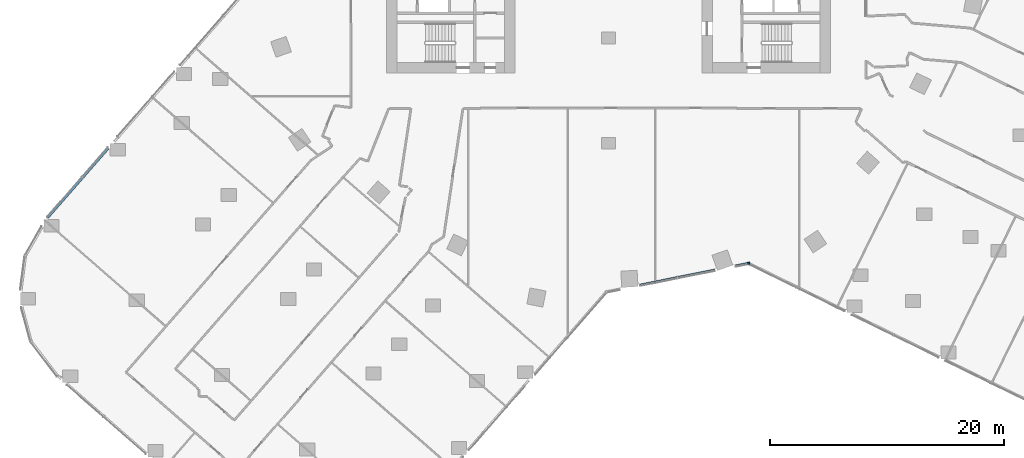
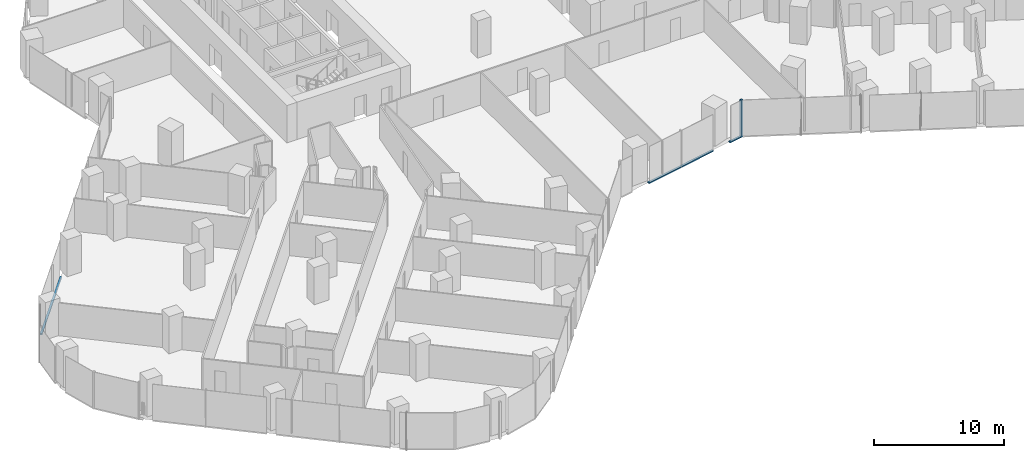
# One storey, part 5 of 38: 4 members, 2 elements without a shape of their own.
"""IFC4 building model written with IfcOpenShell, lengths in metres."""

import ifcopenshell
import ifcopenshell.guid

model = None  # the IFC model being written
_history = None  # IfcOwnerHistory: only IFC2X3 demands one
_inside = {}  # id of a spatial element -> (the spatial element, [elements in it])
_under = {}  # id of a project, library or spatial element -> (it, [spatial elements below it])
_declared = {}  # id of a project -> (the project, [libraries it declares])
_typed = {}  # id of a type object -> (the type object, [elements of that type])
_made_of = {}  # id of a material, layer set ... -> (it, [elements and type objects made of it])


def new_model(schema):
    """Start an empty IFC model of exactly this schema.

    Asked for "IFC4X3", IfcOpenShell would pick the latest addendum, in which some entities
    have other attributes; the version numbers below select the first issue.
    IFC2X3 requires an IfcOwnerHistory on every rooted entity: one is made here for all.
    """
    global model, _history
    if schema == "IFC4X3":
        model = ifcopenshell.file(schema_version=(4, 3, 0, 0))
    else:
        model = ifcopenshell.file(schema=schema)
    _inside.clear()
    _under.clear()
    _declared.clear()
    _typed.clear()
    _made_of.clear()
    _history = None
    if model.schema == "IFC2X3":
        org = make("IfcOrganization", Name="unknown")
        user = make(
            "IfcPersonAndOrganization",
            ThePerson=make("IfcPerson", FamilyName="unknown"),
            TheOrganization=org,
        )
        app = make(
            "IfcApplication",
            ApplicationDeveloper=org,
            Version="unknown",
            ApplicationFullName="unknown",
            ApplicationIdentifier="unknown",
        )
        _history = make(
            "IfcOwnerHistory",
            OwningUser=user,
            OwningApplication=app,
            ChangeAction="ADDED",
            CreationDate=0,
        )
    return model


def make(cls, **values):
    """One entity of the class cls with the attributes given. An attribute that is None is left unset."""
    return model.create_entity(
        cls, **{name: value for name, value in values.items() if value is not None}
    )


def rooted(cls, **values):
    """An entity with a GlobalId (a new one), such as an element, a storey or a relation."""
    return make(cls, GlobalId=ifcopenshell.guid.new(), OwnerHistory=_history, **values)


def si_unit(unit_type, name, prefix=None):
    """IfcSIUnit, for example si_unit("LENGTHUNIT", "METRE", prefix="MILLI")."""
    return make("IfcSIUnit", UnitType=unit_type, Prefix=prefix, Name=name)


def assignment(units):
    """IfcUnitAssignment: the units of a project."""
    return None if units is None else make("IfcUnitAssignment", Units=units)


def point(xyz):
    """IfcCartesianPoint."""
    return None if xyz is None else make("IfcCartesianPoint", Coordinates=xyz)


def direction(xyz):
    """IfcDirection."""
    return None if xyz is None else make("IfcDirection", DirectionRatios=xyz)


def frame(location, z_axis=None, x_axis=None):
    """IfcAxis2Placement3D, a coordinate frame: its origin and axes. An axis left out is left unset."""
    return make(
        "IfcAxis2Placement3D",
        Location=point(location),
        Axis=direction(z_axis),
        RefDirection=direction(x_axis),
    )


def frame_2d(location, x_axis=None):
    """IfcAxis2Placement2D, a coordinate frame in the plane: its origin and x axis."""
    return make(
        "IfcAxis2Placement2D", Location=point(location), RefDirection=direction(x_axis)
    )


def origin():
    """The frame at (0, 0, 0) with its axes left unset."""
    return frame((0.0, 0.0, 0.0))


def origin_2d():
    """The frame at (0, 0) in the plane with its x axis left unset."""
    return frame_2d((0.0, 0.0))


def place(relative_to, where):
    """IfcLocalPlacement: puts the frame where relative to a parent placement (None: the world)."""
    return make(
        "IfcLocalPlacement", PlacementRelTo=relative_to, RelativePlacement=where
    )


def context(
    kind, dimensions, precision=None, world=None, true_north=None, identifier=None
):
    """IfcGeometricRepresentationContext, for example the 3D "Model" context."""
    return make(
        "IfcGeometricRepresentationContext",
        ContextIdentifier=identifier,
        ContextType=kind,
        CoordinateSpaceDimension=dimensions,
        Precision=precision,
        WorldCoordinateSystem=world,
        TrueNorth=true_north,
    )


def subcontext(parent, identifier, kind, view, scale=None):
    """IfcGeometricRepresentationSubContext, for example "Body" below "Model"."""
    return make(
        "IfcGeometricRepresentationSubContext",
        ContextIdentifier=identifier,
        ContextType=kind,
        ParentContext=parent,
        TargetScale=scale,
        TargetView=view,
    )


def project(units=None, contexts=None):
    """IfcProject with its units and contexts."""
    return rooted(
        "IfcProject",
        Name="project",
        RepresentationContexts=contexts,
        UnitsInContext=assignment(units),
    )


def spatial(cls, under=None, at=None, **own):
    """A site, building, storey or space (cls), placed at a placement, below another one or the project."""
    s = rooted(cls, ObjectPlacement=at, **own)
    if under is not None:
        _under.setdefault(under.id(), (under, []))[1].append(s)
    return s


def profile(cls, at=None, kind="AREA", **sizes):
    """A parametric profile (cls). Its sizes go by their IFC names, for example OverallWidth=200.0."""
    return make(cls, ProfileType=kind, Position=at, **sizes)


def rectangle(**sizes):
    """IfcRectangleProfileDef."""
    return profile("IfcRectangleProfileDef", **sizes)


def extrude(swept, where, along, depth):
    """IfcExtrudedAreaSolid: the profile swept, set in the frame where, extruded along a direction by depth."""
    return make(
        "IfcExtrudedAreaSolid",
        SweptArea=swept,
        Position=where,
        ExtrudedDirection=direction(along),
        Depth=depth,
    )


def shape(context_of_items, identifier, shape_type, items):
    """IfcShapeRepresentation: the items that make up one representation, for example the "Body"."""
    return make(
        "IfcShapeRepresentation",
        ContextOfItems=context_of_items,
        RepresentationIdentifier=identifier,
        RepresentationType=shape_type,
        Items=items,
    )


def material(Name=None, Category=None):
    """IfcMaterial."""
    return make("IfcMaterial", Name=Name, Category=Category)


def material_profile(
    of_material, cross_section, Name=None, Category=None, Priority=None
):
    """IfcMaterialProfile: a cross section and its material."""
    return make(
        "IfcMaterialProfile",
        Name=Name,
        Material=of_material,
        Profile=cross_section,
        Priority=Priority,
        Category=Category,
    )


def profile_set(profiles, Name=None, composite=None):
    """IfcMaterialProfileSet."""
    return make(
        "IfcMaterialProfileSet",
        Name=Name,
        MaterialProfiles=profiles,
        CompositeProfile=composite,
    )


def made_of(thing, what):
    """Note that an element or type object is made of a material, layer set ...; save() writes the relation."""
    if what is not None:
        _made_of.setdefault(what.id(), (what, []))[1].append(thing)
    return thing


def type_object(cls, material=None, **own):
    """A type object (cls), such as IfcWallType, which elements share."""
    return made_of(rooted(cls, **own), material)


def element(
    cls,
    number,
    at=None,
    inside=None,
    cuts=None,
    type_object=None,
    material=None,
    context=None,
    identifier="Body",
    shape_type=None,
    held_by="IfcProductDefinitionShape",
    body=None,
    shapes=None,
    **own,
):
    """One element of the class cls, such as IfcWall. Its Tag is "e" and its number.

    at: its placement. inside: the storey or other place that contains it. cuts: it is an
    opening in that element (IfcRelVoidsElement). A single representation is given by context,
    identifier, shape_type and body (its items); several are given by shapes. held_by: the class
    of the entity that holds the representations. save() writes the other relations.
    """
    e = rooted(cls, Tag="e%d" % number, ObjectPlacement=at, **own)
    if body is not None:
        shapes = [shape(context, identifier, shape_type, body)]
    if shapes is not None:
        e.Representation = make(held_by, Representations=shapes)
    if inside is not None:
        _inside.setdefault(inside.id(), (inside, []))[1].append(e)
    if cuts is not None:
        rooted(
            "IfcRelVoidsElement", RelatingBuildingElement=cuts, RelatedOpeningElement=e
        )
    if type_object is not None:
        _typed.setdefault(type_object.id(), (type_object, []))[1].append(e)
    return made_of(e, material)


def aggregate(whole, parts):
    """IfcRelAggregates: a whole, such as a stair, and the parts it consists of."""
    return rooted("IfcRelAggregates", RelatingObject=whole, RelatedObjects=parts)


def save(model, path):
    """Write the relations noted so far, then the file.

    IfcRelAggregates (storeys below a building ...), IfcRelContainedInSpatialStructure (elements
    in a storey), IfcRelDefinesByType, IfcRelAssociatesMaterial and IfcRelDeclares: one each for
    every whole, place, type object, material and project.
    """
    for whole, parts in _under.values():
        aggregate(whole, parts)
    for where, things in _inside.values():
        rooted(
            "IfcRelContainedInSpatialStructure",
            RelatedElements=things,
            RelatingStructure=where,
        )
    for kind, things in _typed.values():
        rooted("IfcRelDefinesByType", RelatedObjects=things, RelatingType=kind)
    for what, things in _made_of.values():
        rooted("IfcRelAssociatesMaterial", RelatedObjects=things, RelatingMaterial=what)
    for by, libraries in _declared.values():
        rooted("IfcRelDeclares", RelatingContext=by, RelatedDefinitions=libraries)
    model.write(path)


model = new_model("IFC4")

# Units and contexts
model_context = context("Model", 3, precision=1e-05, world=origin(), true_north=direction((0.0, 1.0)))
body_context = subcontext(model_context, "Body", "Model", "MODEL_VIEW")
ifc_project = project(units=[si_unit("LENGTHUNIT", "METRE"), si_unit("AREAUNIT", "SQUARE_METRE"), si_unit("VOLUMEUNIT", "CUBIC_METRE"), si_unit("PLANEANGLEUNIT", "RADIAN"), si_unit("MASSUNIT", "GRAM", prefix="KILO")], contexts=[model_context])

# Site, building, storey
site_placement = place(None, origin())
site = spatial("IfcSite", under=ifc_project, at=site_placement, CompositionType="ELEMENT")
building_placement = place(site_placement, origin())
building = spatial("IfcBuilding", under=site, at=building_placement, Name="Orlundy Tower", CompositionType="ELEMENT")
storey_placement = place(building_placement, frame((0.0, 0.0, 62.300048828125)))
storey = spatial("IfcBuildingStorey", under=building, at=storey_placement, Name="L14", CompositionType="ELEMENT", Elevation=62.300048828125)

# Curtain wall, members
ifc_material_1 = material(Name="Aluminium bronze anodised", Category="aluminium")
curtain_wall_type = type_object("IfcCurtainWallType", Name="CW1 wall", PredefinedType="NOTDEFINED", material=ifc_material_1)
curtain_wall_1_placement = place(storey_placement, origin())
curtain_wall_1 = element("IfcCurtainWall", 1, at=curtain_wall_1_placement, inside=storey, type_object=curtain_wall_type, Name="CW1 run 01", PredefinedType="NOTDEFINED")
ifc_material_2 = material(Name="Aluminium bronze anodised", Category="aluminium")
ifc_material_profile_1 = material_profile(ifc_material_2, rectangle(XDim=0.179931640625, YDim=0.179931640625, at=origin_2d()), Name="CW1 corner post 180x180")
ifc_profile_set_1 = profile_set([ifc_material_profile_1], Name="Aluminium bronze anodised")
member_type_1 = type_object("IfcMemberType", Name="CW1 corner post 180x180", PredefinedType="MULLION", material=ifc_profile_set_1)
member_1_placement = place(storey_placement, frame((12.004638671875, -28.2822265625, -0.400146484375), z_axis=(0.0, 0.0, 1.0), x_axis=(0.196531950572, -0.980497420907, 0.0)))
member_1 = element("IfcMember", 2, at=member_1_placement, type_object=member_type_1, Name="CW1 mullion 7", PredefinedType="MULLION", context=body_context, shape_type="SweptSolid", body=[
    extrude(rectangle(XDim=0.179931640625, YDim=0.179931640625, at=origin_2d()), origin(), (0.0, 0.0, 1.0), 3.5),
])
ifc_material_3 = material(Name="Aluminium bronze anodised", Category="aluminium")
ifc_material_profile_2 = material_profile(ifc_material_3, rectangle(XDim=0.179931640625, YDim=0.1201171875, at=origin_2d()), Name="CW1 transom 180x120")
ifc_profile_set_2 = profile_set([ifc_material_profile_2], Name="Aluminium bronze anodised")
member_type_2 = type_object("IfcMemberType", Name="CW1 transom 180x120", PredefinedType="USERDEFINED", material=ifc_profile_set_2)
member_2_placement = place(storey_placement, frame((11.91650390625, -28.300048828125, -0.340087890625), z_axis=(-0.980512926843, -0.19645457565, 0.0), x_axis=(0.19645457565, -0.980512926843, 0.0)))
member_2 = element("IfcMember", 3, at=member_2_placement, type_object=member_type_2, Name="CW1 transom", ObjectType="TRANSOM", PredefinedType="USERDEFINED", context=body_context, shape_type="SweptSolid", body=[
    extrude(rectangle(XDim=0.179931640625, YDim=0.1201171875, at=origin_2d()), origin(), (0.0, 0.0, 1.0), 1.10986328125),
])
member_3_placement = place(storey_placement, frame((9.145751953125, -28.855224609375, -0.340087890625), z_axis=(-0.980497994335, -0.196529089719, 0.0), x_axis=(0.196529089719, -0.980497994335, 0.0)))
member_3 = element("IfcMember", 4, at=member_3_placement, type_object=member_type_2, Name="CW1 transom", ObjectType="TRANSOM", PredefinedType="USERDEFINED", context=body_context, shape_type="SweptSolid", body=[
    extrude(rectangle(XDim=0.179931640625, YDim=0.1201171875, at=origin_2d()), origin(), (0.0, 0.0, 1.0), 6.593994140625),
])
aggregate(curtain_wall_1, [member_1, member_2, member_3])

# Curtain wall, member
curtain_wall_2_placement = place(storey_placement, origin())
curtain_wall_2 = element("IfcCurtainWall", 5, at=curtain_wall_2_placement, inside=storey, type_object=curtain_wall_type, Name="CW1 run 012", PredefinedType="NOTDEFINED")
member_4_placement = place(storey_placement, frame((-47.999267578125, -24.373046875, -0.340087890625), z_axis=(0.658259054691, 0.752791483026, 0.0), x_axis=(-0.752791483026, 0.658259054691, 0.0)))
member_4 = element("IfcMember", 6, at=member_4_placement, type_object=member_type_2, Name="CW1 transom", ObjectType="TRANSOM", PredefinedType="USERDEFINED", context=body_context, shape_type="SweptSolid", body=[
    extrude(rectangle(XDim=0.179931640625, YDim=0.1201171875, at=origin_2d()), origin(), (0.0, 0.0, 1.0), 7.884765625),
])
aggregate(curtain_wall_2, [member_4])

save(model, "model.ifc")
